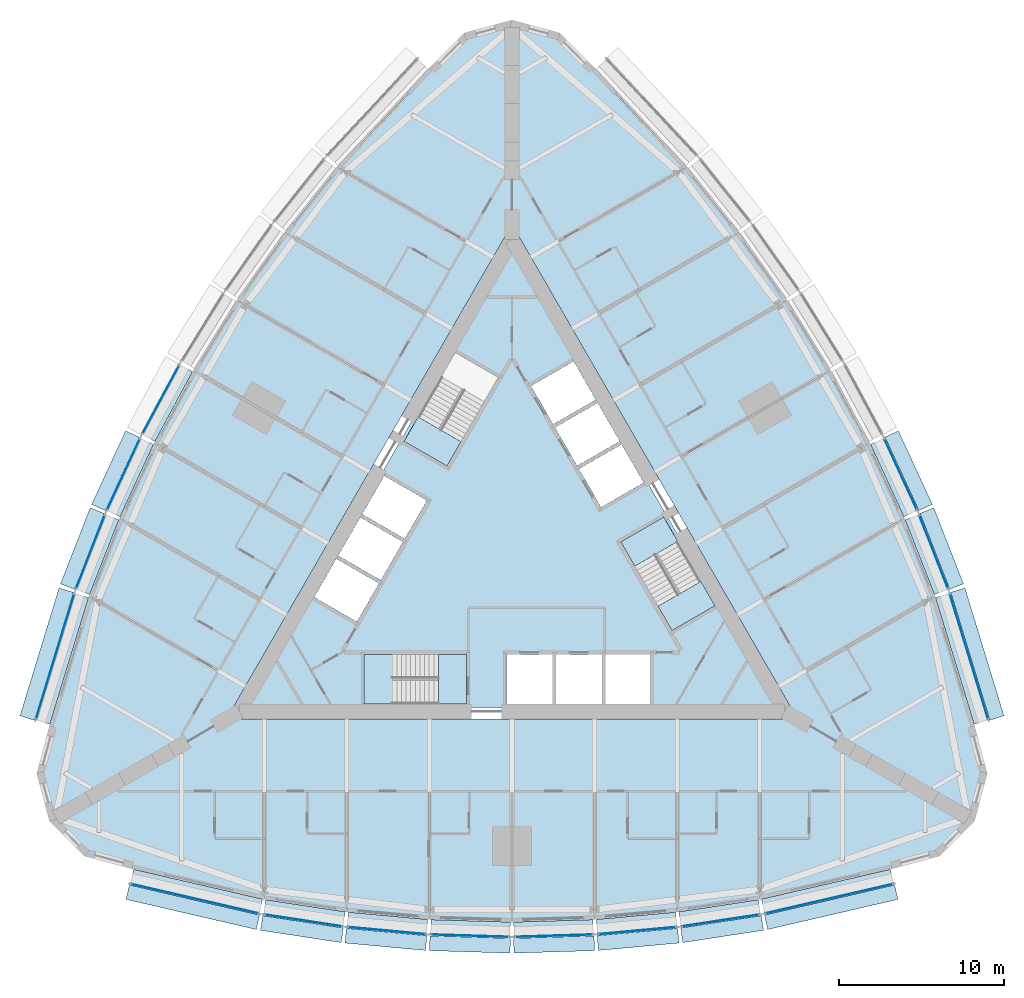
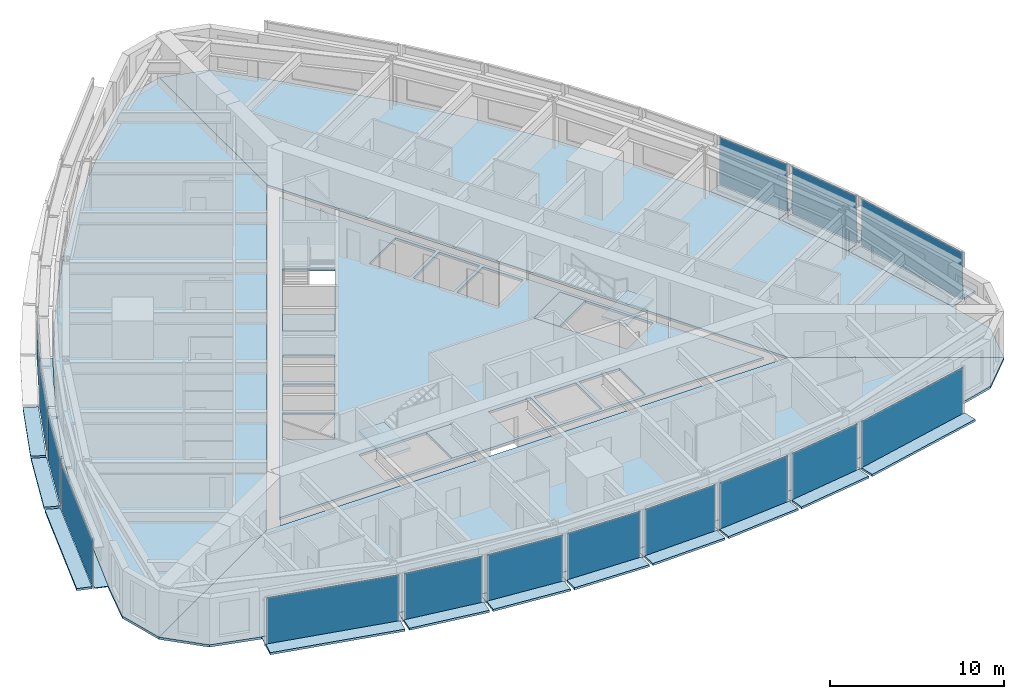
# One storey, part 6 of 14: 44 plates, 9 slabs, 18 elements without a shape of their own.
"""IFC4 building model written with IfcOpenShell, lengths in metres."""

from ifc_helpers import new_model, si_unit, direction, frame, origin, origin_2d, place, context, subcontext, project, spatial, polyline, rectangle, outline, extrude, material, layer, layer_set, type_object, element, aggregate, save


model = new_model("IFC4")

# Units and contexts
model_context = context("Model", 3, precision=1e-05, world=origin(), true_north=direction((0.0, 1.0)))
body_context = subcontext(model_context, "Body", "Model", "MODEL_VIEW")
ifc_project = project(units=[si_unit("LENGTHUNIT", "METRE"), si_unit("AREAUNIT", "SQUARE_METRE"), si_unit("VOLUMEUNIT", "CUBIC_METRE"), si_unit("PLANEANGLEUNIT", "RADIAN"), si_unit("MASSUNIT", "GRAM", prefix="KILO")], contexts=[model_context])

# Site, building, storey
site_placement = place(None, origin())
site = spatial("IfcSite", under=ifc_project, at=site_placement, CompositionType="ELEMENT")
building_placement = place(site_placement, origin())
building = spatial("IfcBuilding", under=site, at=building_placement, Name="Trikona Tower", CompositionType="ELEMENT")
storey_placement = place(building_placement, frame((0.0, 0.0, 76.10009765625)))
storey = spatial("IfcBuildingStorey", under=building, at=storey_placement, Name="L19", CompositionType="ELEMENT", Elevation=76.10009765625)

# Plates
ifc_material_1 = material(Name="Aluminium bar grating", Category="aluminium")
ifc_layer_1 = layer(ifc_material_1, 0.050048828125)
ifc_layer_set_1 = layer_set([ifc_layer_1], Name="Cavity catwalk grating")
plate_type_1 = type_object("IfcPlateType", Name="Cavity catwalk grating", PredefinedType="USERDEFINED", material=ifc_layer_set_1)
plate_1_placement = place(storey_placement, frame((-19.09228515625, -20.377197265625, -0.05029296875), z_axis=(0.0, 0.0, 1.0), x_axis=(0.974277718622, -0.225350675607, 0.0)))
element("IfcPlate", 1, at=plate_1_placement, inside=storey, type_object=plate_type_1, Name="Cavity catwalk L19-00", ObjectType="CATWALK GRATING", PredefinedType="USERDEFINED", context=body_context, shape_type="SweptSolid", body=[
    extrude(rectangle(XDim=8.01123046875, YDim=0.820068359375, at=origin_2d()), origin(), (0.0, 0.0, 1.0), 0.050048828125),
])
plate_2_placement = place(storey_placement, frame((-12.561767578125, -21.688720703125, -0.05029296875), z_axis=(0.0, 0.0, 1.0), x_axis=(0.988617896768, -0.150448177754, 0.0)))
element("IfcPlate", 2, at=plate_2_placement, inside=storey, type_object=plate_type_1, Name="Cavity catwalk L19-01", ObjectType="CATWALK GRATING", PredefinedType="USERDEFINED", context=body_context, shape_type="SweptSolid", body=[
    extrude(rectangle(XDim=4.857666015625, YDim=0.820068359375, at=origin_2d()), origin(), (0.0, 0.0, 1.0), 0.050048828125),
])
plate_3_placement = place(storey_placement, frame((-7.537353515625, -22.300537109375, -0.05029296875), z_axis=(0.0, 0.0, 1.0), x_axis=(0.995858098326, -0.090921108655, 0.0)))
element("IfcPlate", 3, at=plate_3_placement, inside=storey, type_object=plate_type_1, Name="Cavity catwalk L19-02", ObjectType="CATWALK GRATING", PredefinedType="USERDEFINED", context=body_context, shape_type="SweptSolid", body=[
    extrude(rectangle(XDim=4.82080078125, YDim=0.820068359375, at=origin_2d()), origin(), (0.0, 0.0, 1.0), 0.050048828125),
])
for number, where, z_axis, x_axis, name in (
    (4, (-2.512451171875, -22.606201171875, -0.05029296875), (0.0, 0.0, 1.0), (0.999537048889, -0.030425119525, 0.0), "Cavity catwalk L19-03"),
    (5, (2.512451171875, -22.606201171875, -0.05029296875), (0.0, 0.0, 1.0), (0.999537048889, 0.030425119525, 0.0), "Cavity catwalk L19-04"),
):
    element("IfcPlate", number, at=place(storey_placement, frame(where, z_axis=z_axis, x_axis=x_axis)), inside=storey, type_object=plate_type_1, Name=name, ObjectType="CATWALK GRATING", PredefinedType="USERDEFINED", context=body_context, shape_type="SweptSolid", body=[
        extrude(rectangle(XDim=4.80224609375, YDim=0.820068359375, at=origin_2d()), origin(), (0.0, 0.0, 1.0), 0.050048828125),
    ])
plate_4_placement = place(storey_placement, frame((7.537353515625, -22.300537109375, -0.05029296875), z_axis=(0.0, 0.0, 1.0), x_axis=(0.995858098326, 0.090921108655, 0.0)))
element("IfcPlate", 6, at=plate_4_placement, inside=storey, type_object=plate_type_1, Name="Cavity catwalk L19-05", ObjectType="CATWALK GRATING", PredefinedType="USERDEFINED", context=body_context, shape_type="SweptSolid", body=[
    extrude(rectangle(XDim=4.82080078125, YDim=0.820068359375, at=origin_2d()), origin(), (0.0, 0.0, 1.0), 0.050048828125),
])
plate_5_placement = place(storey_placement, frame((12.561767578125, -21.688720703125, -0.05029296875), z_axis=(0.0, 0.0, 1.0), x_axis=(0.988617896768, 0.150448177754, 0.0)))
element("IfcPlate", 7, at=plate_5_placement, inside=storey, type_object=plate_type_1, Name="Cavity catwalk L19-06", ObjectType="CATWALK GRATING", PredefinedType="USERDEFINED", context=body_context, shape_type="SweptSolid", body=[
    extrude(rectangle(XDim=4.857666015625, YDim=0.820068359375, at=origin_2d()), origin(), (0.0, 0.0, 1.0), 0.050048828125),
])
for number, where, z_axis, x_axis, name in (
    (8, (19.09228515625, -20.377197265625, -0.05029296875), (0.0, 0.0, 1.0), (0.974277718622, 0.225350675607, 0.0), "Cavity catwalk L19-07"),
    (9, (27.193359375, -6.345947265625, -0.05029296875), (0.0, 0.0, 1.0), (-0.291979449475, 0.956424592471, 0.0), "Cavity catwalk L19-12"),
):
    element("IfcPlate", number, at=place(storey_placement, frame(where, z_axis=z_axis, x_axis=x_axis)), inside=storey, type_object=plate_type_1, Name=name, ObjectType="CATWALK GRATING", PredefinedType="USERDEFINED", context=body_context, shape_type="SweptSolid", body=[
        extrude(rectangle(XDim=8.01123046875, YDim=0.820068359375, at=origin_2d()), origin(), (0.0, 0.0, 1.0), 0.050048828125),
    ])
plate_6_placement = place(storey_placement, frame((25.06396484375, -0.034423828125, -0.05029296875), z_axis=(0.0, 0.0, 1.0), x_axis=(-0.364008876551, 0.931395478726, 0.0)))
element("IfcPlate", 10, at=plate_6_placement, inside=storey, type_object=plate_type_1, Name="Cavity catwalk L19-13", ObjectType="CATWALK GRATING", PredefinedType="USERDEFINED", context=body_context, shape_type="SweptSolid", body=[
    extrude(rectangle(XDim=4.857666015625, YDim=0.820068359375, at=origin_2d()), origin(), (0.0, 0.0, 1.0), 0.050048828125),
])
plate_7_placement = place(storey_placement, frame((23.081298828125, 4.622802734375, -0.05029296875), z_axis=(0.0, 0.0, 1.0), x_axis=(-0.41919381307, 0.907896771161, 0.0)))
element("IfcPlate", 11, at=plate_7_placement, inside=storey, type_object=plate_type_1, Name="Cavity catwalk L19-14", ObjectType="CATWALK GRATING", PredefinedType="USERDEFINED", context=body_context, shape_type="SweptSolid", body=[
    extrude(rectangle(XDim=4.82080078125, YDim=0.820068359375, at=origin_2d()), origin(), (0.0, 0.0, 1.0), 0.050048828125),
])
plate_8_placement = place(storey_placement, frame((-20.833740234375, 9.127197265625, -0.05029296875), z_axis=(0.0, 0.0, 1.0), x_axis=(-0.473422672721, -0.880835383572, 0.0)))
element("IfcPlate", 12, at=plate_8_placement, inside=storey, type_object=plate_type_1, Name="Cavity catwalk L19-28", ObjectType="CATWALK GRATING", PredefinedType="USERDEFINED", context=body_context, shape_type="SweptSolid", body=[
    extrude(rectangle(XDim=4.80224609375, YDim=0.820068359375, at=origin_2d()), origin(), (0.0, 0.0, 1.0), 0.050048828125),
])
plate_9_placement = place(storey_placement, frame((-23.081298828125, 4.622802734375, -0.05029296875), z_axis=(0.0, 0.0, 1.0), x_axis=(-0.41919381307, -0.907896771161, 0.0)))
element("IfcPlate", 13, at=plate_9_placement, inside=storey, type_object=plate_type_1, Name="Cavity catwalk L19-29", ObjectType="CATWALK GRATING", PredefinedType="USERDEFINED", context=body_context, shape_type="SweptSolid", body=[
    extrude(rectangle(XDim=4.82080078125, YDim=0.820068359375, at=origin_2d()), origin(), (0.0, 0.0, 1.0), 0.050048828125),
])
plate_10_placement = place(storey_placement, frame((-25.06396484375, -0.034423828125, -0.05029296875), z_axis=(0.0, 0.0, 1.0), x_axis=(-0.364008876551, -0.931395478726, 0.0)))
element("IfcPlate", 14, at=plate_10_placement, inside=storey, type_object=plate_type_1, Name="Cavity catwalk L19-30", ObjectType="CATWALK GRATING", PredefinedType="USERDEFINED", context=body_context, shape_type="SweptSolid", body=[
    extrude(rectangle(XDim=4.857666015625, YDim=0.820068359375, at=origin_2d()), origin(), (0.0, 0.0, 1.0), 0.050048828125),
])
plate_11_placement = place(storey_placement, frame((-27.193359375, -6.345947265625, -0.05029296875), z_axis=(0.0, 0.0, 1.0), x_axis=(-0.291979449475, -0.956424592471, 0.0)))
element("IfcPlate", 15, at=plate_11_placement, inside=storey, type_object=plate_type_1, Name="Cavity catwalk L19-31", ObjectType="CATWALK GRATING", PredefinedType="USERDEFINED", context=body_context, shape_type="SweptSolid", body=[
    extrude(rectangle(XDim=8.01123046875, YDim=0.820068359375, at=origin_2d()), origin(), (0.0, 0.0, 1.0), 0.050048828125),
])

# Slabs
ifc_material_2 = material(Name="Concrete f'c 5000 psi lightweight on composite steel deck", Category="concrete")
ifc_layer_2 = layer(ifc_material_2, 0.1650390625)
ifc_layer_set_2 = layer_set([ifc_layer_2], Name="Composite floor slab 165")
slab_type_1 = type_object("IfcSlabType", Name="Composite floor slab 165", PredefinedType="FLOOR", material=ifc_layer_set_2)
slab_1_placement = place(storey_placement, frame((0.0, 0.0, -0.1650390625)))
element("IfcSlab", 16, at=slab_1_placement, inside=storey, type_object=slab_type_1, Name="Floor slab L19 core", PredefinedType="FLOOR", context=body_context, shape_type="SweptSolid", body=[
    extrude(outline(polyline([(-16.06689453125, -9.2763671875), (16.06689453125, -9.2763671875), (0.0, 18.552490234375), (-16.06689453125, -9.2763671875)]), holes=[polyline([(12.285400390625, -3.126220703125), (9.185302734375, 2.2431640625), (6.587158203125, 0.7431640625), (9.687255859375, -4.626220703125), (12.285400390625, -3.126220703125)]), polyline([(8.340087890625, -9.06640625), (8.340087890625, -6.086181640625), (5.659912109375, -6.086181640625), (5.659912109375, -9.06640625), (8.340087890625, -9.06640625)]), polyline([(5.390869140625, 2.835205078125), (7.9716796875, 4.3251953125), (6.631591796875, 6.646240234375), (4.05078125, 5.15625), (5.390869140625, 2.835205078125)]), polyline([(2.600830078125, 7.667724609375), (3.94091796875, 5.3466796875), (6.521484375, 6.8369140625), (5.181640625, 9.15771484375), (2.600830078125, 7.667724609375)]), polyline([(5.43994140625, -6.086181640625), (2.659912109375, -6.086181640625), (2.659912109375, -9.06640625), (5.43994140625, -9.06640625), (5.43994140625, -6.086181640625)]), polyline([(3.731689453125, 11.669189453125), (1.15087890625, 10.17919921875), (2.490966796875, 7.858154296875), (5.071533203125, 9.34814453125), (3.731689453125, 11.669189453125)]), polyline([(-0.340087890625, -6.086181640625), (-0.340087890625, -9.06640625), (2.43994140625, -9.06640625), (2.43994140625, -6.086181640625), (-0.340087890625, -6.086181640625)]), polyline([(-3.435302734375, 12.202392578125), (-6.535400390625, 6.8330078125), (-3.937255859375, 5.3330078125), (-0.837158203125, 10.702392578125), (-3.435302734375, 12.202392578125)]), polyline([(-8.949951171875, -9.076416015625), (-2.75, -9.076416015625), (-2.75, -6.076416015625), (-8.949951171875, -6.076416015625), (-8.949951171875, -9.076416015625)]), polyline([(-5.15087890625, 3.2509765625), (-7.731689453125, 4.740966796875), (-9.071533203125, 2.419921875), (-6.490966796875, 0.929931640625), (-5.15087890625, 3.2509765625)]), polyline([(-7.94091796875, -1.581298828125), (-6.600830078125, 0.739501953125), (-9.181640625, 2.2294921875), (-10.521484375, -0.09130859375), (-7.94091796875, -1.581298828125)]), polyline([(-11.9716796875, -2.602783203125), (-9.390869140625, -4.093017578125), (-8.05078125, -1.77197265625), (-10.631591796875, -0.281982421875), (-11.9716796875, -2.602783203125)])]), origin(), (0.0, 0.0, 1.0), 0.1650390625),
])
slab_2_placement = place(storey_placement, frame((0.0, 0.0, -0.1650390625)))
element("IfcSlab", 17, at=slab_2_placement, inside=storey, type_object=slab_type_1, Name="Floor slab L19 south", PredefinedType="FLOOR", context=body_context, shape_type="SweptSolid", body=[
    extrude(outline(polyline([(25.88671875, -18.279052734375), (28.0, -16.165771484375), (17.279296875, -9.976318359375), (-17.279296875, -9.976318359375), (-28.0, -16.165771484375), (-25.88671875, -18.279052734375), (-23.0, -19.052490234375), (-15.0, -20.903076171875), (-10.0, -21.663818359375), (-5.0, -22.120361328125), (0.0, -22.272705078125), (5.0, -22.120361328125), (10.0, -21.663818359375), (15.0, -20.903076171875), (23.0, -19.052490234375), (25.88671875, -18.279052734375)])), origin(), (0.0, 0.0, 1.0), 0.1650390625),
])
slab_3_placement = place(storey_placement, frame((0.0, 0.0, -0.1650390625)))
element("IfcSlab", 18, at=slab_3_placement, inside=storey, type_object=slab_type_1, Name="Floor slab L19 north-east", PredefinedType="FLOOR", context=body_context, shape_type="SweptSolid", body=[
    extrude(outline(polyline([(2.88671875, 31.55810546875), (0.0, 32.33154296875), (0.0, 19.95263671875), (17.279296875, -9.976318359375), (28.0, -16.165771484375), (28.7734375, -13.279052734375), (28.0, -10.392333984375), (25.6025390625, -2.538818359375), (23.761474609375, 2.171630859375), (21.65673828125, 6.72998046875), (19.28857421875, 11.13623046875), (16.65673828125, 15.390380859375), (13.761474609375, 19.4921875), (10.6025390625, 23.44189453125), (5.0, 29.44482421875), (2.88671875, 31.55810546875)])), origin(), (0.0, 0.0, 1.0), 0.1650390625),
])
slab_4_placement = place(storey_placement, frame((0.0, 0.0, -0.1650390625)))
element("IfcSlab", 19, at=slab_4_placement, inside=storey, type_object=slab_type_1, Name="Floor slab L19 north-west", PredefinedType="FLOOR", context=body_context, shape_type="SweptSolid", body=[
    extrude(outline(polyline([(0.0, 19.95263671875), (0.0, 32.33154296875), (-2.88671875, 31.55810546875), (-5.0, 29.44482421875), (-10.6025390625, 23.44189453125), (-13.761474609375, 19.4921875), (-16.65673828125, 15.390380859375), (-19.28857421875, 11.13623046875), (-21.65673828125, 6.72998046875), (-23.761474609375, 2.171630859375), (-25.6025390625, -2.538818359375), (-28.0, -10.392333984375), (-28.7734375, -13.279052734375), (-28.0, -16.165771484375), (-17.279296875, -9.976318359375), (0.0, 19.95263671875)])), origin(), (0.0, 0.0, 1.0), 0.1650390625),
])

# Curtain wall, plate
ifc_material_3 = material(Name="Aluminium curtain wall system", Category="aluminium")
curtain_wall_type = type_object("IfcCurtainWallType", Name="Curtain wall DS1", PredefinedType="NOTDEFINED", material=ifc_material_3)
curtain_wall_1_placement = place(storey_placement, origin())
curtain_wall_1 = element("IfcCurtainWall", 20, at=curtain_wall_1_placement, inside=storey, type_object=curtain_wall_type, Name="Curtain wall DS1 L19", PredefinedType="NOTDEFINED")
ifc_material_4 = material(Name="Laminated clear glass", Category="glass")
ifc_layer_3 = layer(ifc_material_4, 0.028076171875)
ifc_layer_set_3 = layer_set([ifc_layer_3], Name="Glass panel DS1")
plate_type_2 = type_object("IfcPlateType", Name="Glass panel DS1", PredefinedType="CURTAIN_PANEL", material=ifc_layer_set_3)
plate_12_placement = place(storey_placement, frame((-19.202880859375, -20.854736328125, 0.0), z_axis=(0.0, 0.0, 1.0), x_axis=(0.974279427173, -0.225343288756, 0.0)))
plate_12 = element("IfcPlate", 21, at=plate_12_placement, type_object=plate_type_2, Name="CW-DS1 panel 1.1", PredefinedType="CURTAIN_PANEL", context=body_context, shape_type="SweptSolid", body=[
    extrude(rectangle(XDim=7.93115234375, YDim=0.028076171875, at=origin_2d()), origin(), (0.0, 0.0, 1.0), 3.320068359375),
])
aggregate(curtain_wall_1, [plate_12])

curtain_wall_2_placement = place(storey_placement, origin())
curtain_wall_2 = element("IfcCurtainWall", 22, at=curtain_wall_2_placement, inside=storey, type_object=curtain_wall_type, Name="Curtain wall DS1 L19", PredefinedType="NOTDEFINED")
plate_13_placement = place(storey_placement, frame((-12.635498046875, -22.173095703125, 0.0), z_axis=(0.0, 0.0, 1.0), x_axis=(0.988619492156, -0.150437693845, 0.0)))
plate_13 = element("IfcPlate", 23, at=plate_13_placement, type_object=plate_type_2, Name="CW-DS1 panel 1.1", PredefinedType="CURTAIN_PANEL", context=body_context, shape_type="SweptSolid", body=[
    extrude(rectangle(XDim=4.777587890625, YDim=0.028076171875, at=origin_2d()), origin(), (0.0, 0.0, 1.0), 3.320068359375),
])
aggregate(curtain_wall_2, [plate_13])

curtain_wall_3_placement = place(storey_placement, origin())
curtain_wall_3 = element("IfcCurtainWall", 24, at=curtain_wall_3_placement, inside=storey, type_object=curtain_wall_type, Name="Curtain wall DS1 L19", PredefinedType="NOTDEFINED")
plate_14_placement = place(storey_placement, frame((-7.581787109375, -22.788330078125, 0.0), z_axis=(0.0, 0.0, 1.0), x_axis=(0.995857840485, -0.090923932737, 0.0)))
plate_14 = element("IfcPlate", 25, at=plate_14_placement, type_object=plate_type_2, Name="CW-DS1 panel 1.1", PredefinedType="CURTAIN_PANEL", context=body_context, shape_type="SweptSolid", body=[
    extrude(rectangle(XDim=4.74072265625, YDim=0.028076171875, at=origin_2d()), origin(), (0.0, 0.0, 1.0), 3.320068359375),
])
aggregate(curtain_wall_3, [plate_14])

curtain_wall_4_placement = place(storey_placement, origin())
curtain_wall_4 = element("IfcCurtainWall", 26, at=curtain_wall_4_placement, inside=storey, type_object=curtain_wall_type, Name="Curtain wall DS1 L19", PredefinedType="NOTDEFINED")
plate_15_placement = place(storey_placement, frame((-2.52734375, -23.09619140625, 0.0), z_axis=(0.0, 0.0, 1.0), x_axis=(0.999536695965, -0.030436711692, 0.0)))
plate_15 = element("IfcPlate", 27, at=plate_15_placement, type_object=plate_type_2, Name="CW-DS1 panel 1.1", PredefinedType="CURTAIN_PANEL", context=body_context, shape_type="SweptSolid", body=[
    extrude(rectangle(XDim=4.72216796875, YDim=0.028076171875, at=origin_2d()), origin(), (0.0, 0.0, 1.0), 3.320068359375),
])
aggregate(curtain_wall_4, [plate_15])

curtain_wall_5_placement = place(storey_placement, origin())
curtain_wall_5 = element("IfcCurtainWall", 28, at=curtain_wall_5_placement, inside=storey, type_object=curtain_wall_type, Name="Curtain wall DS1 L19", PredefinedType="NOTDEFINED")
plate_16_placement = place(storey_placement, frame((2.52734375, -23.09619140625, 0.0), z_axis=(0.0, 0.0, 1.0), x_axis=(0.999536695965, 0.030436711692, 0.0)))
plate_16 = element("IfcPlate", 29, at=plate_16_placement, type_object=plate_type_2, Name="CW-DS1 panel 1.1", PredefinedType="CURTAIN_PANEL", context=body_context, shape_type="SweptSolid", body=[
    extrude(rectangle(XDim=4.72216796875, YDim=0.028076171875, at=origin_2d()), origin(), (0.0, 0.0, 1.0), 3.320068359375),
])
aggregate(curtain_wall_5, [plate_16])

curtain_wall_6_placement = place(storey_placement, origin())
curtain_wall_6 = element("IfcCurtainWall", 30, at=curtain_wall_6_placement, inside=storey, type_object=curtain_wall_type, Name="Curtain wall DS1 L19", PredefinedType="NOTDEFINED")
plate_17_placement = place(storey_placement, frame((7.581787109375, -22.788330078125, 0.0), z_axis=(0.0, 0.0, 1.0), x_axis=(0.995857840485, 0.090923932737, 0.0)))
plate_17 = element("IfcPlate", 31, at=plate_17_placement, type_object=plate_type_2, Name="CW-DS1 panel 1.1", PredefinedType="CURTAIN_PANEL", context=body_context, shape_type="SweptSolid", body=[
    extrude(rectangle(XDim=4.74072265625, YDim=0.028076171875, at=origin_2d()), origin(), (0.0, 0.0, 1.0), 3.320068359375),
])
aggregate(curtain_wall_6, [plate_17])

curtain_wall_7_placement = place(storey_placement, origin())
curtain_wall_7 = element("IfcCurtainWall", 32, at=curtain_wall_7_placement, inside=storey, type_object=curtain_wall_type, Name="Curtain wall DS1 L19", PredefinedType="NOTDEFINED")
plate_18_placement = place(storey_placement, frame((12.635498046875, -22.173095703125, 0.0), z_axis=(0.0, 0.0, 1.0), x_axis=(0.988619492156, 0.150437693845, 0.0)))
plate_18 = element("IfcPlate", 33, at=plate_18_placement, type_object=plate_type_2, Name="CW-DS1 panel 1.1", PredefinedType="CURTAIN_PANEL", context=body_context, shape_type="SweptSolid", body=[
    extrude(rectangle(XDim=4.777587890625, YDim=0.028076171875, at=origin_2d()), origin(), (0.0, 0.0, 1.0), 3.320068359375),
])
aggregate(curtain_wall_7, [plate_18])

curtain_wall_8_placement = place(storey_placement, origin())
curtain_wall_8 = element("IfcCurtainWall", 34, at=curtain_wall_8_placement, inside=storey, type_object=curtain_wall_type, Name="Curtain wall DS1 L19", PredefinedType="NOTDEFINED")
plate_19_placement = place(storey_placement, frame((19.202880859375, -20.854736328125, 0.0), z_axis=(0.0, 0.0, 1.0), x_axis=(0.974279427173, 0.225343288756, 0.0)))
plate_19 = element("IfcPlate", 35, at=plate_19_placement, type_object=plate_type_2, Name="CW-DS1 panel 1.1", PredefinedType="CURTAIN_PANEL", context=body_context, shape_type="SweptSolid", body=[
    extrude(rectangle(XDim=7.93115234375, YDim=0.028076171875, at=origin_2d()), origin(), (0.0, 0.0, 1.0), 3.320068359375),
])
aggregate(curtain_wall_8, [plate_19])

curtain_wall_9_placement = place(storey_placement, origin())
curtain_wall_9 = element("IfcCurtainWall", 36, at=curtain_wall_9_placement, inside=storey, type_object=curtain_wall_type, Name="Curtain wall DS1 L19", PredefinedType="NOTDEFINED")
plate_20_placement = place(storey_placement, frame((27.662109375, -6.202880859375, 0.0), z_axis=(0.0, 0.0, 1.0), x_axis=(-0.291984287868, 0.956423115383, 0.0)))
plate_20 = element("IfcPlate", 37, at=plate_20_placement, type_object=plate_type_2, Name="CW-DS1 panel 1.1", PredefinedType="CURTAIN_PANEL", context=body_context, shape_type="SweptSolid", body=[
    extrude(rectangle(XDim=7.93115234375, YDim=0.028076171875, at=origin_2d()), origin(), (0.0, 0.0, 1.0), 3.320068359375),
])
aggregate(curtain_wall_9, [plate_20])

curtain_wall_10_placement = place(storey_placement, origin())
curtain_wall_10 = element("IfcCurtainWall", 38, at=curtain_wall_10_placement, inside=storey, type_object=curtain_wall_type, Name="Curtain wall DS1 L19", PredefinedType="NOTDEFINED")
plate_21_placement = place(storey_placement, frame((25.520263671875, 0.14404296875, 0.0), z_axis=(0.0, 0.0, 1.0), x_axis=(-0.36400756977, 0.931395989443, 0.0)))
plate_21 = element("IfcPlate", 39, at=plate_21_placement, type_object=plate_type_2, Name="CW-DS1 panel 1.1", PredefinedType="CURTAIN_PANEL", context=body_context, shape_type="SweptSolid", body=[
    extrude(rectangle(XDim=4.777587890625, YDim=0.028076171875, at=origin_2d()), origin(), (0.0, 0.0, 1.0), 3.320068359375),
])
aggregate(curtain_wall_10, [plate_21])

curtain_wall_11_placement = place(storey_placement, origin())
curtain_wall_11 = element("IfcCurtainWall", 40, at=curtain_wall_11_placement, inside=storey, type_object=curtain_wall_type, Name="Curtain wall DS1 L19", PredefinedType="NOTDEFINED")
plate_22_placement = place(storey_placement, frame((23.5263671875, 4.828125, 0.0), z_axis=(0.0, 0.0, 1.0), x_axis=(-0.419190155352, 0.907898459992, 0.0)))
plate_22 = element("IfcPlate", 41, at=plate_22_placement, type_object=plate_type_2, Name="CW-DS1 panel 1.1", PredefinedType="CURTAIN_PANEL", context=body_context, shape_type="SweptSolid", body=[
    extrude(rectangle(XDim=4.740966796875, YDim=0.028076171875, at=origin_2d()), origin(), (0.0, 0.0, 1.0), 3.320068359375),
])
aggregate(curtain_wall_11, [plate_22])

curtain_wall_12_placement = place(storey_placement, origin())
curtain_wall_12 = element("IfcCurtainWall", 42, at=curtain_wall_12_placement, inside=storey, type_object=curtain_wall_type, Name="Curtain wall DS1 L19", PredefinedType="NOTDEFINED")
plate_23_placement = place(storey_placement, frame((-21.265380859375, 9.359130859375, 0.0), z_axis=(0.0, 0.0, 1.0), x_axis=(-0.473408350896, -0.880843080975, 0.0)))
plate_23 = element("IfcPlate", 43, at=plate_23_placement, type_object=plate_type_2, Name="CW-DS1 panel 1.1", PredefinedType="CURTAIN_PANEL", context=body_context, shape_type="SweptSolid", body=[
    extrude(rectangle(XDim=4.72216796875, YDim=0.028076171875, at=origin_2d()), origin(), (0.0, 0.0, 1.0), 3.320068359375),
])
aggregate(curtain_wall_12, [plate_23])

curtain_wall_13_placement = place(storey_placement, origin())
curtain_wall_13 = element("IfcCurtainWall", 44, at=curtain_wall_13_placement, inside=storey, type_object=curtain_wall_type, Name="Curtain wall DS1 L19", PredefinedType="NOTDEFINED")
plate_24_placement = place(storey_placement, frame((-23.5263671875, 4.828125, 0.0), z_axis=(0.0, 0.0, 1.0), x_axis=(-0.419190155352, -0.907898459992, 0.0)))
plate_24 = element("IfcPlate", 45, at=plate_24_placement, type_object=plate_type_2, Name="CW-DS1 panel 1.1", PredefinedType="CURTAIN_PANEL", context=body_context, shape_type="SweptSolid", body=[
    extrude(rectangle(XDim=4.740966796875, YDim=0.028076171875, at=origin_2d()), origin(), (0.0, 0.0, 1.0), 3.320068359375),
])
aggregate(curtain_wall_13, [plate_24])

curtain_wall_14_placement = place(storey_placement, origin())
curtain_wall_14 = element("IfcCurtainWall", 46, at=curtain_wall_14_placement, inside=storey, type_object=curtain_wall_type, Name="Curtain wall DS1 L19", PredefinedType="NOTDEFINED")
plate_25_placement = place(storey_placement, frame((-25.520263671875, 0.14404296875, 0.0), z_axis=(0.0, 0.0, 1.0), x_axis=(-0.36400756977, -0.931395989443, 0.0)))
plate_25 = element("IfcPlate", 47, at=plate_25_placement, type_object=plate_type_2, Name="CW-DS1 panel 1.1", PredefinedType="CURTAIN_PANEL", context=body_context, shape_type="SweptSolid", body=[
    extrude(rectangle(XDim=4.777587890625, YDim=0.028076171875, at=origin_2d()), origin(), (0.0, 0.0, 1.0), 3.320068359375),
])
aggregate(curtain_wall_14, [plate_25])

curtain_wall_15_placement = place(storey_placement, origin())
curtain_wall_15 = element("IfcCurtainWall", 48, at=curtain_wall_15_placement, inside=storey, type_object=curtain_wall_type, Name="Curtain wall DS1 L19", PredefinedType="NOTDEFINED")
plate_26_placement = place(storey_placement, frame((-27.662109375, -6.202880859375, 0.0), z_axis=(0.0, 0.0, 1.0), x_axis=(-0.291984287868, -0.956423115383, 0.0)))
plate_26 = element("IfcPlate", 49, at=plate_26_placement, type_object=plate_type_2, Name="CW-DS1 panel 1.1", PredefinedType="CURTAIN_PANEL", context=body_context, shape_type="SweptSolid", body=[
    extrude(rectangle(XDim=7.93115234375, YDim=0.028076171875, at=origin_2d()), origin(), (0.0, 0.0, 1.0), 3.320068359375),
])
aggregate(curtain_wall_15, [plate_26])

# Plates
ifc_material_5 = material(Name="Aluminium plate fin, pale anodised, on stainless steel outriggers", Category="steel")
ifc_layer_4 = layer(ifc_material_5, 0.14990234375)
ifc_layer_set_4 = layer_set([ifc_layer_4], Name="Outer skin fin 900")
plate_type_3 = type_object("IfcPlateType", Name="Outer skin fin 900", PredefinedType="USERDEFINED", material=ifc_layer_set_4)
plate_27_placement = place(storey_placement, frame((-19.322265625, -21.37109375, 0.0), z_axis=(0.0, 0.0, 1.0), x_axis=(0.974277718622, -0.225350675607, 0.0)))
element("IfcPlate", 50, at=plate_27_placement, inside=storey, type_object=plate_type_3, Name="Outer skin fin L19-00", ObjectType="FIN", PredefinedType="USERDEFINED", context=body_context, shape_type="SweptSolid", body=[
    extrude(rectangle(XDim=8.09130859375, YDim=0.89990234375, at=origin_2d()), origin(), (0.0, 0.0, 1.0), 0.14990234375),
])
plate_28_placement = place(storey_placement, frame((-12.715087890625, -22.697265625, 0.0), z_axis=(0.0, 0.0, 1.0), x_axis=(0.988617896768, -0.150448177754, 0.0)))
element("IfcPlate", 51, at=plate_28_placement, inside=storey, type_object=plate_type_3, Name="Outer skin fin L19-01", ObjectType="FIN", PredefinedType="USERDEFINED", context=body_context, shape_type="SweptSolid", body=[
    extrude(rectangle(XDim=4.9375, YDim=0.89990234375, at=origin_2d()), origin(), (0.0, 0.0, 1.0), 0.14990234375),
])
plate_29_placement = place(storey_placement, frame((-7.6298828125, -23.316162109375, 0.0), z_axis=(0.0, 0.0, 1.0), x_axis=(0.995858098326, -0.090921108655, 0.0)))
element("IfcPlate", 52, at=plate_29_placement, inside=storey, type_object=plate_type_3, Name="Outer skin fin L19-02", ObjectType="FIN", PredefinedType="USERDEFINED", context=body_context, shape_type="SweptSolid", body=[
    extrude(rectangle(XDim=4.90087890625, YDim=0.89990234375, at=origin_2d()), origin(), (0.0, 0.0, 1.0), 0.14990234375),
])
for number, where, z_axis, x_axis, name in (
    (53, (-2.54345703125, -23.625732421875, 0.0), (0.0, 0.0, 1.0), (0.999537048889, -0.030425119525, 0.0), "Outer skin fin L19-03"),
    (54, (2.54345703125, -23.625732421875, 0.0), (0.0, 0.0, 1.0), (0.999537048889, 0.030425119525, 0.0), "Outer skin fin L19-04"),
):
    element("IfcPlate", number, at=place(storey_placement, frame(where, z_axis=z_axis, x_axis=x_axis)), inside=storey, type_object=plate_type_3, Name=name, ObjectType="FIN", PredefinedType="USERDEFINED", context=body_context, shape_type="SweptSolid", body=[
        extrude(rectangle(XDim=4.88232421875, YDim=0.89990234375, at=origin_2d()), origin(), (0.0, 0.0, 1.0), 0.14990234375),
    ])
plate_30_placement = place(storey_placement, frame((7.6298828125, -23.316162109375, 0.0), z_axis=(0.0, 0.0, 1.0), x_axis=(0.995858098326, 0.090921108655, 0.0)))
element("IfcPlate", 55, at=plate_30_placement, inside=storey, type_object=plate_type_3, Name="Outer skin fin L19-05", ObjectType="FIN", PredefinedType="USERDEFINED", context=body_context, shape_type="SweptSolid", body=[
    extrude(rectangle(XDim=4.90087890625, YDim=0.89990234375, at=origin_2d()), origin(), (0.0, 0.0, 1.0), 0.14990234375),
])
plate_31_placement = place(storey_placement, frame((12.715087890625, -22.697265625, 0.0), z_axis=(0.0, 0.0, 1.0), x_axis=(0.988617896768, 0.150448177754, 0.0)))
element("IfcPlate", 56, at=plate_31_placement, inside=storey, type_object=plate_type_3, Name="Outer skin fin L19-06", ObjectType="FIN", PredefinedType="USERDEFINED", context=body_context, shape_type="SweptSolid", body=[
    extrude(rectangle(XDim=4.9375, YDim=0.89990234375, at=origin_2d()), origin(), (0.0, 0.0, 1.0), 0.14990234375),
])
for number, where, z_axis, x_axis, name in (
    (57, (19.322265625, -21.37109375, 0.0), (0.0, 0.0, 1.0), (0.974277718622, 0.225350675607, 0.0), "Outer skin fin L19-07"),
    (58, (28.1689453125, -6.048095703125, 0.0), (0.0, 0.0, 1.0), (-0.291979449475, 0.956424592471, 0.0), "Outer skin fin L19-12"),
):
    element("IfcPlate", number, at=place(storey_placement, frame(where, z_axis=z_axis, x_axis=x_axis)), inside=storey, type_object=plate_type_3, Name=name, ObjectType="FIN", PredefinedType="USERDEFINED", context=body_context, shape_type="SweptSolid", body=[
        extrude(rectangle(XDim=8.09130859375, YDim=0.89990234375, at=origin_2d()), origin(), (0.0, 0.0, 1.0), 0.14990234375),
    ])
plate_32_placement = place(storey_placement, frame((26.013916015625, 0.3369140625, 0.0), z_axis=(0.0, 0.0, 1.0), x_axis=(-0.364008876551, 0.931395478726, 0.0)))
element("IfcPlate", 59, at=plate_32_placement, inside=storey, type_object=plate_type_3, Name="Outer skin fin L19-13", ObjectType="FIN", PredefinedType="USERDEFINED", context=body_context, shape_type="SweptSolid", body=[
    extrude(rectangle(XDim=4.9375, YDim=0.89990234375, at=origin_2d()), origin(), (0.0, 0.0, 1.0), 0.14990234375),
])
for number, where, z_axis, x_axis, name in (
    (60, (24.00732421875, 5.05029296875, 0.0), (0.0, 0.0, 1.0), (-0.41919381307, 0.907896771161, 0.0), "Outer skin fin L19-14"),
    (61, (-24.00732421875, 5.05029296875, 0.0), (0.0, 0.0, 1.0), (-0.41919381307, -0.907896771161, 0.0), "Outer skin fin L19-29"),
):
    element("IfcPlate", number, at=place(storey_placement, frame(where, z_axis=z_axis, x_axis=x_axis)), inside=storey, type_object=plate_type_3, Name=name, ObjectType="FIN", PredefinedType="USERDEFINED", context=body_context, shape_type="SweptSolid", body=[
        extrude(rectangle(XDim=4.90087890625, YDim=0.89990234375, at=origin_2d()), origin(), (0.0, 0.0, 1.0), 0.14990234375),
    ])
plate_33_placement = place(storey_placement, frame((-26.013916015625, 0.3369140625, 0.0), z_axis=(0.0, 0.0, 1.0), x_axis=(-0.364008876551, -0.931395478726, 0.0)))
element("IfcPlate", 62, at=plate_33_placement, inside=storey, type_object=plate_type_3, Name="Outer skin fin L19-30", ObjectType="FIN", PredefinedType="USERDEFINED", context=body_context, shape_type="SweptSolid", body=[
    extrude(rectangle(XDim=4.9375, YDim=0.89990234375, at=origin_2d()), origin(), (0.0, 0.0, 1.0), 0.14990234375),
])
plate_34_placement = place(storey_placement, frame((-28.1689453125, -6.048095703125, 0.0), z_axis=(0.0, 0.0, 1.0), x_axis=(-0.291979449475, -0.956424592471, 0.0)))
element("IfcPlate", 63, at=plate_34_placement, inside=storey, type_object=plate_type_3, Name="Outer skin fin L19-31", ObjectType="FIN", PredefinedType="USERDEFINED", context=body_context, shape_type="SweptSolid", body=[
    extrude(rectangle(XDim=8.09130859375, YDim=0.89990234375, at=origin_2d()), origin(), (0.0, 0.0, 1.0), 0.14990234375),
])

# Stair, slabs
ifc_material_6 = material(Name="Concrete f'c 5000 psi", Category="concrete")
stair_type = type_object("IfcStairType", Name="Core stair", PredefinedType="HALF_TURN_STAIR", material=ifc_material_6)
stair_1_placement = place(storey_placement, origin())
stair_1 = element("IfcStair", 64, at=stair_1_placement, inside=storey, type_object=stair_type, Name="Stair A L19", PredefinedType="HALF_TURN_STAIR")
ifc_material_7 = material(Name="Concrete f'c 5000 psi", Category="concrete")
ifc_layer_5 = layer(ifc_material_7, 0.199951171875)
ifc_layer_set_5 = layer_set([ifc_layer_5], Name="Stair landing 200")
slab_type_2 = type_object("IfcSlabType", Name="Stair landing 200", PredefinedType="LANDING", material=ifc_layer_set_5)
slab_5_placement = place(storey_placement, frame((0.0, 0.0, -0.2001953125)))
slab_5 = element("IfcSlab", 65, at=slab_5_placement, type_object=slab_type_2, Name="ST-A landing 1", PredefinedType="LANDING", context=body_context, shape_type="SweptSolid", body=[
    extrude(outline(polyline([(-4.452880859375, -6.076416015625), (-2.75, -6.076416015625), (-2.75, -9.076416015625), (-4.452880859375, -9.076416015625), (-4.452880859375, -6.076416015625)])), origin(), (0.0, 0.0, 1.0), 0.2001953125),
])
slab_6_placement = place(storey_placement, frame((0.0, 0.0, 1.5)))
slab_6 = element("IfcSlab", 66, at=slab_6_placement, type_object=slab_type_2, Name="ST-A landing 2", PredefinedType="LANDING", context=body_context, shape_type="SweptSolid", body=[
    extrude(outline(polyline([(-8.949951171875, -6.076416015625), (-7.2470703125, -6.076416015625), (-7.2470703125, -9.076416015625), (-8.949951171875, -9.076416015625), (-8.949951171875, -6.076416015625)])), origin(), (0.0, 0.0, 1.0), 0.199951171875),
])
aggregate(stair_1, [slab_5, slab_6])

stair_2_placement = place(storey_placement, origin())
stair_2 = element("IfcStair", 67, at=stair_2_placement, inside=storey, type_object=stair_type, Name="Stair B L19", PredefinedType="HALF_TURN_STAIR")
slab_7_placement = place(storey_placement, frame((0.0, 0.0, -0.2001953125)))
slab_7 = element("IfcSlab", 68, at=slab_7_placement, type_object=slab_type_2, Name="ST-B landing 1", PredefinedType="LANDING", context=body_context, shape_type="SweptSolid", body=[
    extrude(outline(polyline([(7.438720703125, -0.731689453125), (6.587158203125, 0.7431640625), (9.185302734375, 2.2431640625), (10.036865234375, 0.768310546875), (7.438720703125, -0.731689453125)])), origin(), (0.0, 0.0, 1.0), 0.2001953125),
])
slab_8_placement = place(storey_placement, frame((0.0, 0.0, 1.5)))
slab_8 = element("IfcSlab", 69, at=slab_8_placement, type_object=slab_type_2, Name="ST-B landing 2", PredefinedType="LANDING", context=body_context, shape_type="SweptSolid", body=[
    extrude(outline(polyline([(9.687255859375, -4.626220703125), (8.835693359375, -3.1513671875), (11.433837890625, -1.6513671875), (12.285400390625, -3.126220703125), (9.687255859375, -4.626220703125)])), origin(), (0.0, 0.0, 1.0), 0.199951171875),
])
aggregate(stair_2, [slab_7, slab_8])

# Stair, slab
stair_3_placement = place(storey_placement, origin())
stair_3 = element("IfcStair", 70, at=stair_3_placement, inside=storey, type_object=stair_type, Name="Stair C L19", PredefinedType="HALF_TURN_STAIR")
slab_9_placement = place(storey_placement, frame((0.0, 0.0, -0.2001953125)))
slab_9 = element("IfcSlab", 71, at=slab_9_placement, type_object=slab_type_2, Name="ST-C landing 1", PredefinedType="LANDING", context=body_context, shape_type="SweptSolid", body=[
    extrude(outline(polyline([(-3.085693359375, 6.807861328125), (-3.937255859375, 5.3330078125), (-6.535400390625, 6.8330078125), (-5.683837890625, 8.307861328125), (-3.085693359375, 6.807861328125)])), origin(), (0.0, 0.0, 1.0), 0.2001953125),
])
aggregate(stair_3, [slab_9])

save(model, "model.ifc")
